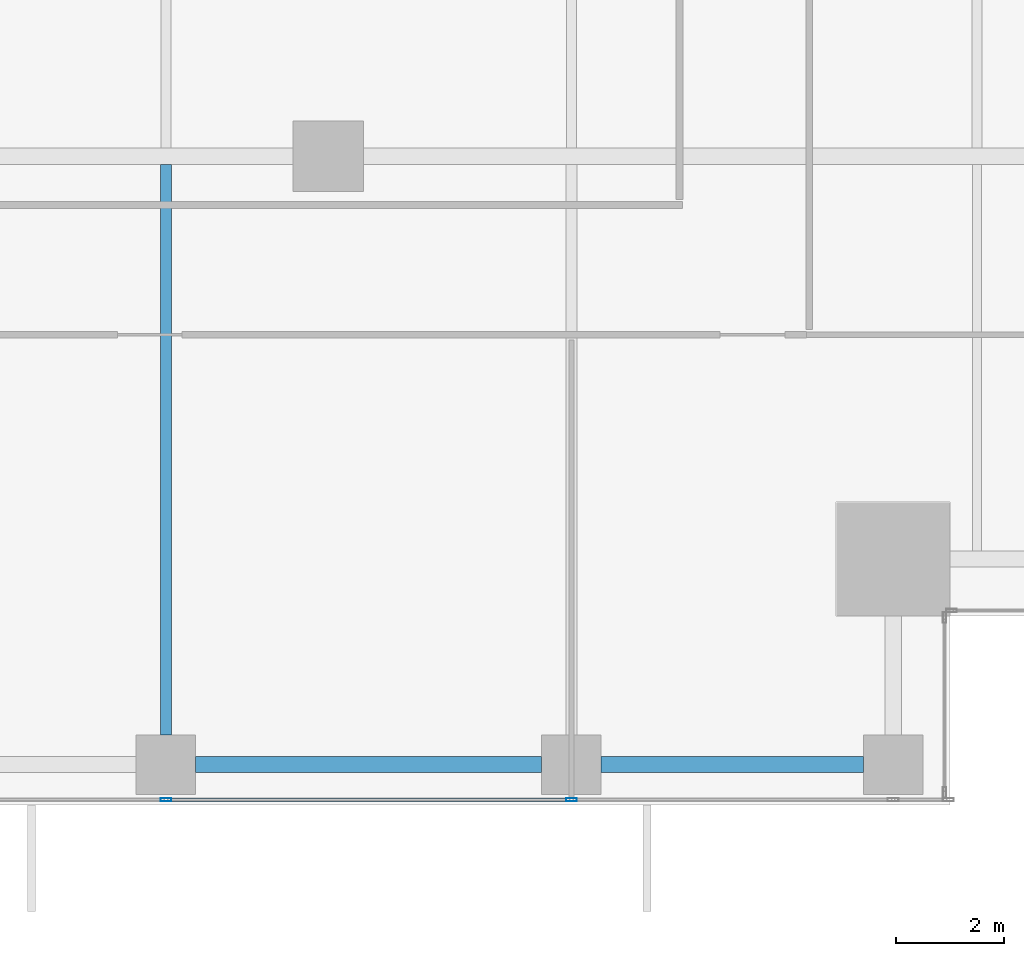
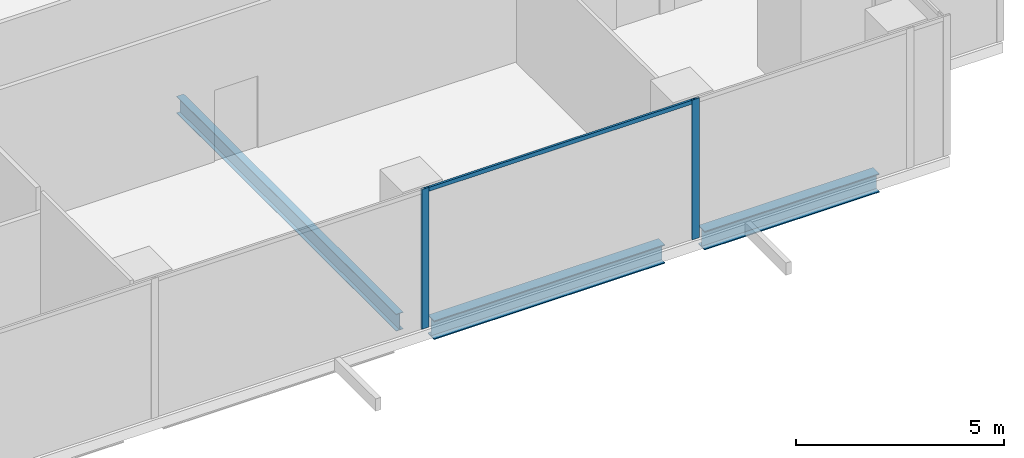
# One storey, part 9 of 34: 3 beams, 3 members, 1 element without a shape of its own.
"""IFC4 building model written with IfcOpenShell, lengths in metres."""

from ifc_helpers import new_model, si_unit, direction, frame, origin, origin_2d, place, context, subcontext, project, spatial, hollow_rectangle, i_section, extrude, source, transform, mapped, material, material_profile, profile_set, type_object, element, aggregate, save


model = new_model("IFC4")

# Units and contexts
model_context = context("Model", 3, precision=1e-05, world=origin(), true_north=direction((0.0, 1.0)))
body_context = subcontext(model_context, "Body", "Model", "MODEL_VIEW")
ifc_project = project(units=[si_unit("LENGTHUNIT", "METRE"), si_unit("AREAUNIT", "SQUARE_METRE"), si_unit("VOLUMEUNIT", "CUBIC_METRE"), si_unit("PLANEANGLEUNIT", "RADIAN"), si_unit("MASSUNIT", "GRAM", prefix="KILO")], contexts=[model_context])

# Site, building, storey
site_placement = place(None, origin())
site = spatial("IfcSite", under=ifc_project, at=site_placement, CompositionType="ELEMENT")
building_placement = place(site_placement, origin())
building = spatial("IfcBuilding", under=site, at=building_placement, Name="Khomas Fold Tower", CompositionType="ELEMENT")
storey_placement = place(building_placement, frame((0.0, 0.0, 123.5)))
storey = spatial("IfcBuildingStorey", under=building, at=storey_placement, Name="L26", CompositionType="ELEMENT", Elevation=123.5)

# Beams
ifc_material_1 = material(Name="Steel S355", Category="steel")
ifc_material_profile_1 = material_profile(ifc_material_1, i_section(OverallWidth=0.300048828125, OverallDepth=0.550048828125, WebThickness=0.014892578125, FlangeThickness=0.029052734375, at=origin_2d()), Name="HE 550 B")
ifc_profile_set_1 = profile_set([ifc_material_profile_1], Name="Steel S355")
beam_type_1 = type_object("IfcBeamType", Name="HE 550 B spandrel SB2", PredefinedType="SPANDREL", material=ifc_profile_set_1)
shared_shape_1 = source(origin(), body_context, "Body", "SweptSolid", [
    extrude(i_section(OverallWidth=0.300048828125, OverallDepth=0.550048828125, WebThickness=0.014892578125, FlangeThickness=0.029052734375, at=origin_2d()), origin(), (0.0, 0.0, 1.0), 4.849853515625),
])
beam_1_placement = place(storey_placement, frame((42.550048828125, 2.25, -0.574951171875), z_axis=(1.0, 0.0, 0.0), x_axis=(0.0, 1.0, 0.0)))
element("IfcBeam", 1, at=beam_1_placement, inside=storey, type_object=beam_type_1, Name="SB2", PredefinedType="SPANDREL", context=body_context, shape_type="MappedRepresentation", body=[
    mapped(shared_shape_1, transform((0.0, 0.0, 0.0))),
])
shared_shape_2 = source(origin(), body_context, "Body", "SweptSolid", [
    extrude(i_section(OverallWidth=0.300048828125, OverallDepth=0.550048828125, WebThickness=0.014892578125, FlangeThickness=0.029052734375, at=origin_2d()), origin(), (0.0, 0.0, 1.0), 6.39990234375),
])
beam_2_placement = place(storey_placement, frame((35.050048828125, 2.25, -0.574951171875), z_axis=(1.0, 0.0, 0.0), x_axis=(0.0, 1.0, 0.0)))
element("IfcBeam", 2, at=beam_2_placement, inside=storey, type_object=beam_type_1, Name="SB2", PredefinedType="SPANDREL", context=body_context, shape_type="MappedRepresentation", body=[
    mapped(shared_shape_2, transform((0.0, 0.0, 0.0))),
])
ifc_material_2 = material(Name="Steel S355", Category="steel")
ifc_material_profile_2 = material_profile(ifc_material_2, i_section(OverallWidth=0.199951171875, OverallDepth=0.5, WebThickness=0.01025390625, FlangeThickness=0.01611328125, at=origin_2d()), Name="IPE 500")
ifc_profile_set_2 = profile_set([ifc_material_profile_2], Name="Steel S355")
beam_type_2 = type_object("IfcBeamType", Name="IPE 500 beam JB5", PredefinedType="BEAM", material=ifc_profile_set_2)
shared_shape_3 = source(origin(), body_context, "Body", "SweptSolid", [
    extrude(i_section(OverallWidth=0.199951171875, OverallDepth=0.5, WebThickness=0.01025390625, FlangeThickness=0.01611328125, at=origin_2d()), origin(), (0.0, 0.0, 1.0), 10.550048828125),
])
beam_3_placement = place(storey_placement, frame((34.5, 2.800048828125, -0.550048828125), z_axis=(0.0, 1.0, 0.0), x_axis=(-1.0, 0.0, 0.0)))
element("IfcBeam", 3, at=beam_3_placement, inside=storey, type_object=beam_type_2, Name="JB5", PredefinedType="BEAM", context=body_context, shape_type="MappedRepresentation", body=[
    mapped(shared_shape_3, transform((0.0, 0.0, 0.0))),
])

# Curtain wall, members
ifc_material_3 = material(Name="Aluminium framed double glazing", Category="aluminium")
curtain_wall_type = type_object("IfcCurtainWallType", Name="SK-Unitised clear-glass wall, growing floors CW1", PredefinedType="NOTDEFINED", material=ifc_material_3)
curtain_wall_placement = place(storey_placement, origin())
curtain_wall = element("IfcCurtainWall", 4, at=curtain_wall_placement, inside=storey, type_object=curtain_wall_type, Name="CW1 run L26 00-0", PredefinedType="NOTDEFINED")
ifc_material_4 = material(Name="Aluminium", Category="aluminium")
ifc_material_profile_3 = material_profile(ifc_material_4, hollow_rectangle(XDim=0.06005859375, YDim=0.1201171875, WallThickness=0.00390625, at=origin_2d()), Name="SK-Unitised clear-glass wall, growing floors transom CW1-T")
ifc_profile_set_3 = profile_set([ifc_material_profile_3], Name="Aluminium")
member_type_1 = type_object("IfcMemberType", Name="SK-Unitised clear-glass wall, growing floors transom CW1-T", PredefinedType="USERDEFINED", material=ifc_profile_set_3)
shared_shape_4 = source(origin(), body_context, "Body", "SweptSolid", [
    extrude(hollow_rectangle(XDim=0.06005859375, YDim=0.1201171875, WallThickness=0.00390625, at=origin_2d()), origin(), (0.0, 0.0, 1.0), 7.43994140625),
])
member_1_placement = place(storey_placement, frame((34.530029296875, 1.60009765625, 4.0400390625), z_axis=(1.0, 0.0, 0.0), x_axis=(0.0, 1.0, 0.0)))
member_1 = element("IfcMember", 5, at=member_1_placement, type_object=member_type_1, Name="CW1 transom 6", ObjectType="TRANSOM", PredefinedType="USERDEFINED", context=body_context, shape_type="MappedRepresentation", body=[
    mapped(shared_shape_4, transform((0.0, 0.0, 0.0))),
])
ifc_material_5 = material(Name="Aluminium", Category="aluminium")
ifc_material_profile_4 = material_profile(ifc_material_5, hollow_rectangle(XDim=0.06005859375, YDim=0.199951171875, WallThickness=0.00390625, at=origin_2d()), Name="SK-Unitised clear-glass wall, growing floors mullion CW1-M")
ifc_profile_set_4 = profile_set([ifc_material_profile_4], Name="Aluminium")
member_type_2 = type_object("IfcMemberType", Name="SK-Unitised clear-glass wall, growing floors mullion CW1-M", PredefinedType="MULLION", material=ifc_profile_set_4)
shared_shape_5 = source(origin(), body_context, "Body", "SweptSolid", [
    extrude(hollow_rectangle(XDim=0.06005859375, YDim=0.199951171875, WallThickness=0.00390625, at=origin_2d()), origin(), (0.0, 0.0, 1.0), 4.10009765625),
])
member_2_placement = place(storey_placement, frame((34.5, 1.60009765625, 0.0), z_axis=(0.0, 0.0, 1.0), x_axis=(0.0, 1.0, 0.0)))
member_2 = element("IfcMember", 6, at=member_2_placement, type_object=member_type_2, Name="CW1 mullion 6", PredefinedType="MULLION", context=body_context, shape_type="MappedRepresentation", body=[
    mapped(shared_shape_5, transform((0.0, 0.0, 0.0))),
])
member_3_placement = place(storey_placement, frame((42.0, 1.60009765625, 0.0), z_axis=(0.0, 0.0, 1.0), x_axis=(0.0, 1.0, 0.0)))
member_3 = element("IfcMember", 7, at=member_3_placement, type_object=member_type_2, Name="CW1 mullion 7", PredefinedType="MULLION", context=body_context, shape_type="MappedRepresentation", body=[
    mapped(shared_shape_5, transform((0.0, 0.0, 0.0))),
])
aggregate(curtain_wall, [member_2, member_3, member_1])

save(model, "model.ifc")
